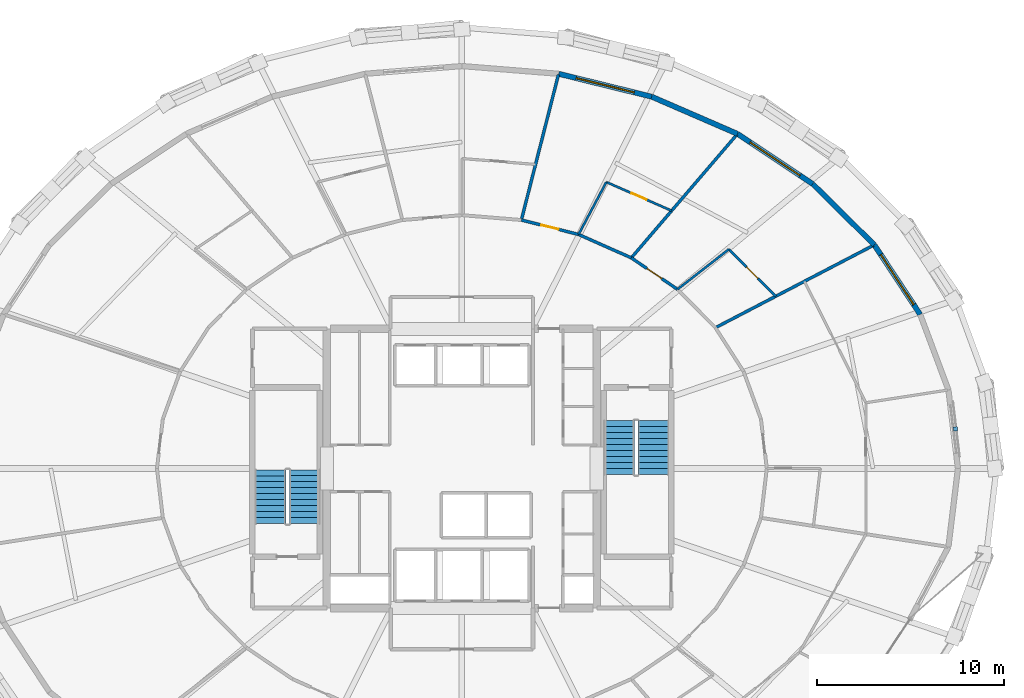
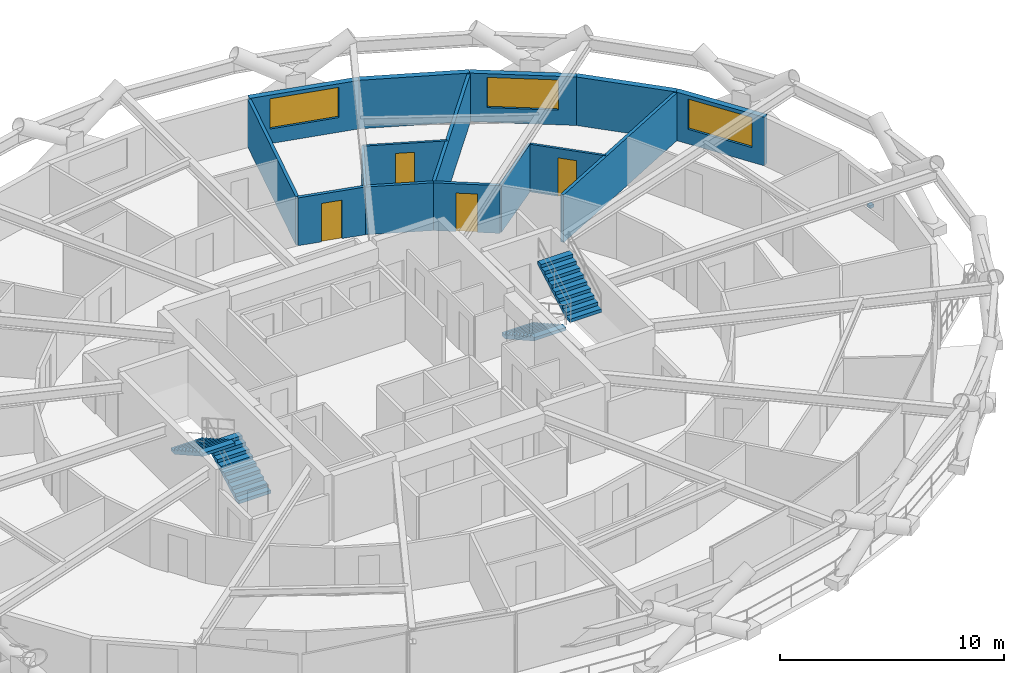
# One storey, part 17 of 19: 15 walls, 4 doors, 4 stair flights, 3 windows, 1 discrete accessory, 7 openings, 2 elements without a shape of their own.
"""IFC4 building model written with IfcOpenShell, lengths in metres."""

import ifcopenshell
import ifcopenshell.guid

model = None  # the IFC model being written
_history = None  # IfcOwnerHistory: only IFC2X3 demands one
_inside = {}  # id of a spatial element -> (the spatial element, [elements in it])
_under = {}  # id of a project, library or spatial element -> (it, [spatial elements below it])
_declared = {}  # id of a project -> (the project, [libraries it declares])
_typed = {}  # id of a type object -> (the type object, [elements of that type])
_made_of = {}  # id of a material, layer set ... -> (it, [elements and type objects made of it])


def new_model(schema):
    """Start an empty IFC model of exactly this schema.

    Asked for "IFC4X3", IfcOpenShell would pick the latest addendum, in which some entities
    have other attributes; the version numbers below select the first issue.
    IFC2X3 requires an IfcOwnerHistory on every rooted entity: one is made here for all.
    """
    global model, _history
    if schema == "IFC4X3":
        model = ifcopenshell.file(schema_version=(4, 3, 0, 0))
    else:
        model = ifcopenshell.file(schema=schema)
    _inside.clear()
    _under.clear()
    _declared.clear()
    _typed.clear()
    _made_of.clear()
    _history = None
    if model.schema == "IFC2X3":
        org = make("IfcOrganization", Name="unknown")
        user = make(
            "IfcPersonAndOrganization",
            ThePerson=make("IfcPerson", FamilyName="unknown"),
            TheOrganization=org,
        )
        app = make(
            "IfcApplication",
            ApplicationDeveloper=org,
            Version="unknown",
            ApplicationFullName="unknown",
            ApplicationIdentifier="unknown",
        )
        _history = make(
            "IfcOwnerHistory",
            OwningUser=user,
            OwningApplication=app,
            ChangeAction="ADDED",
            CreationDate=0,
        )
    return model


def make(cls, **values):
    """One entity of the class cls with the attributes given. An attribute that is None is left unset."""
    return model.create_entity(
        cls, **{name: value for name, value in values.items() if value is not None}
    )


def rooted(cls, **values):
    """An entity with a GlobalId (a new one), such as an element, a storey or a relation."""
    return make(cls, GlobalId=ifcopenshell.guid.new(), OwnerHistory=_history, **values)


def si_unit(unit_type, name, prefix=None):
    """IfcSIUnit, for example si_unit("LENGTHUNIT", "METRE", prefix="MILLI")."""
    return make("IfcSIUnit", UnitType=unit_type, Prefix=prefix, Name=name)


def assignment(units):
    """IfcUnitAssignment: the units of a project."""
    return None if units is None else make("IfcUnitAssignment", Units=units)


def point(xyz):
    """IfcCartesianPoint."""
    return None if xyz is None else make("IfcCartesianPoint", Coordinates=xyz)


def direction(xyz):
    """IfcDirection."""
    return None if xyz is None else make("IfcDirection", DirectionRatios=xyz)


def frame(location, z_axis=None, x_axis=None):
    """IfcAxis2Placement3D, a coordinate frame: its origin and axes. An axis left out is left unset."""
    return make(
        "IfcAxis2Placement3D",
        Location=point(location),
        Axis=direction(z_axis),
        RefDirection=direction(x_axis),
    )


def frame_2d(location, x_axis=None):
    """IfcAxis2Placement2D, a coordinate frame in the plane: its origin and x axis."""
    return make(
        "IfcAxis2Placement2D", Location=point(location), RefDirection=direction(x_axis)
    )


def origin():
    """The frame at (0, 0, 0) with its axes left unset."""
    return frame((0.0, 0.0, 0.0))


def origin_2d():
    """The frame at (0, 0) in the plane with its x axis left unset."""
    return frame_2d((0.0, 0.0))


def place(relative_to, where):
    """IfcLocalPlacement: puts the frame where relative to a parent placement (None: the world)."""
    return make(
        "IfcLocalPlacement", PlacementRelTo=relative_to, RelativePlacement=where
    )


def context(
    kind, dimensions, precision=None, world=None, true_north=None, identifier=None
):
    """IfcGeometricRepresentationContext, for example the 3D "Model" context."""
    return make(
        "IfcGeometricRepresentationContext",
        ContextIdentifier=identifier,
        ContextType=kind,
        CoordinateSpaceDimension=dimensions,
        Precision=precision,
        WorldCoordinateSystem=world,
        TrueNorth=true_north,
    )


def subcontext(parent, identifier, kind, view, scale=None):
    """IfcGeometricRepresentationSubContext, for example "Body" below "Model"."""
    return make(
        "IfcGeometricRepresentationSubContext",
        ContextIdentifier=identifier,
        ContextType=kind,
        ParentContext=parent,
        TargetScale=scale,
        TargetView=view,
    )


def project(units=None, contexts=None):
    """IfcProject with its units and contexts."""
    return rooted(
        "IfcProject",
        Name="project",
        RepresentationContexts=contexts,
        UnitsInContext=assignment(units),
    )


def spatial(cls, under=None, at=None, **own):
    """A site, building, storey or space (cls), placed at a placement, below another one or the project."""
    s = rooted(cls, ObjectPlacement=at, **own)
    if under is not None:
        _under.setdefault(under.id(), (under, []))[1].append(s)
    return s


def polyline(points):
    """IfcPolyline through the points."""
    return make("IfcPolyline", Points=[point(p) for p in points])


def profile(cls, at=None, kind="AREA", **sizes):
    """A parametric profile (cls). Its sizes go by their IFC names, for example OverallWidth=200.0."""
    return make(cls, ProfileType=kind, Position=at, **sizes)


def rectangle(**sizes):
    """IfcRectangleProfileDef."""
    return profile("IfcRectangleProfileDef", **sizes)


def outline(outer, holes=None, kind="AREA"):
    """IfcArbitraryClosedProfileDef: a profile drawn as a closed curve; with holes, ...WithVoids."""
    if holes is None:
        return make("IfcArbitraryClosedProfileDef", ProfileType=kind, OuterCurve=outer)
    return make(
        "IfcArbitraryProfileDefWithVoids",
        ProfileType=kind,
        OuterCurve=outer,
        InnerCurves=holes,
    )


def extrude(swept, where, along, depth):
    """IfcExtrudedAreaSolid: the profile swept, set in the frame where, extruded along a direction by depth."""
    return make(
        "IfcExtrudedAreaSolid",
        SweptArea=swept,
        Position=where,
        ExtrudedDirection=direction(along),
        Depth=depth,
    )


def shape(context_of_items, identifier, shape_type, items):
    """IfcShapeRepresentation: the items that make up one representation, for example the "Body"."""
    return make(
        "IfcShapeRepresentation",
        ContextOfItems=context_of_items,
        RepresentationIdentifier=identifier,
        RepresentationType=shape_type,
        Items=items,
    )


def material(Name=None, Category=None):
    """IfcMaterial."""
    return make("IfcMaterial", Name=Name, Category=Category)


def layer(
    of_material, thickness, ventilated=None, Name=None, Category=None, Priority=None
):
    """IfcMaterialLayer: one layer of a wall or slab, of a material (None: an air gap)."""
    return make(
        "IfcMaterialLayer",
        Material=of_material,
        LayerThickness=thickness,
        IsVentilated=ventilated,
        Name=Name,
        Category=Category,
        Priority=Priority,
    )


def layer_set(layers, Name=None):
    """IfcMaterialLayerSet."""
    return make("IfcMaterialLayerSet", MaterialLayers=layers, LayerSetName=Name)


def made_of(thing, what):
    """Note that an element or type object is made of a material, layer set ...; save() writes the relation."""
    if what is not None:
        _made_of.setdefault(what.id(), (what, []))[1].append(thing)
    return thing


def type_object(cls, material=None, **own):
    """A type object (cls), such as IfcWallType, which elements share."""
    return made_of(rooted(cls, **own), material)


def element(
    cls,
    number,
    at=None,
    inside=None,
    cuts=None,
    type_object=None,
    material=None,
    context=None,
    identifier="Body",
    shape_type=None,
    held_by="IfcProductDefinitionShape",
    body=None,
    shapes=None,
    **own,
):
    """One element of the class cls, such as IfcWall. Its Tag is "e" and its number.

    at: its placement. inside: the storey or other place that contains it. cuts: it is an
    opening in that element (IfcRelVoidsElement). A single representation is given by context,
    identifier, shape_type and body (its items); several are given by shapes. held_by: the class
    of the entity that holds the representations. save() writes the other relations.
    """
    e = rooted(cls, Tag="e%d" % number, ObjectPlacement=at, **own)
    if body is not None:
        shapes = [shape(context, identifier, shape_type, body)]
    if shapes is not None:
        e.Representation = make(held_by, Representations=shapes)
    if inside is not None:
        _inside.setdefault(inside.id(), (inside, []))[1].append(e)
    if cuts is not None:
        rooted(
            "IfcRelVoidsElement", RelatingBuildingElement=cuts, RelatedOpeningElement=e
        )
    if type_object is not None:
        _typed.setdefault(type_object.id(), (type_object, []))[1].append(e)
    return made_of(e, material)


def fill(opening, filler):
    """IfcRelFillsElement: the door or window that sits in an opening."""
    return rooted(
        "IfcRelFillsElement",
        RelatingOpeningElement=opening,
        RelatedBuildingElement=filler,
    )


def aggregate(whole, parts):
    """IfcRelAggregates: a whole, such as a stair, and the parts it consists of."""
    return rooted("IfcRelAggregates", RelatingObject=whole, RelatedObjects=parts)


def save(model, path):
    """Write the relations noted so far, then the file.

    IfcRelAggregates (storeys below a building ...), IfcRelContainedInSpatialStructure (elements
    in a storey), IfcRelDefinesByType, IfcRelAssociatesMaterial and IfcRelDeclares: one each for
    every whole, place, type object, material and project.
    """
    for whole, parts in _under.values():
        aggregate(whole, parts)
    for where, things in _inside.values():
        rooted(
            "IfcRelContainedInSpatialStructure",
            RelatedElements=things,
            RelatingStructure=where,
        )
    for kind, things in _typed.values():
        rooted("IfcRelDefinesByType", RelatedObjects=things, RelatingType=kind)
    for what, things in _made_of.values():
        rooted("IfcRelAssociatesMaterial", RelatedObjects=things, RelatingMaterial=what)
    for by, libraries in _declared.values():
        rooted("IfcRelDeclares", RelatingContext=by, RelatedDefinitions=libraries)
    model.write(path)


model = new_model("IFC4")

# Units and contexts
model_context = context("Model", 3, precision=1e-05, world=origin(), true_north=direction((0.0, 1.0)))
body_context = subcontext(model_context, "Body", "Model", "MODEL_VIEW")
ifc_project = project(units=[si_unit("LENGTHUNIT", "METRE"), si_unit("AREAUNIT", "SQUARE_METRE"), si_unit("VOLUMEUNIT", "CUBIC_METRE"), si_unit("PLANEANGLEUNIT", "RADIAN"), si_unit("MASSUNIT", "GRAM", prefix="KILO")], contexts=[model_context])

# Site, building, storey
site_placement = place(None, origin())
site = spatial("IfcSite", under=ifc_project, at=site_placement, CompositionType="ELEMENT")
building_placement = place(site_placement, origin())
building = spatial("IfcBuilding", under=site, at=building_placement, Name="Veldorina Hangang Commons", CompositionType="ELEMENT")
storey_placement = place(building_placement, frame((0.0, 0.0, 52.0)))
storey = spatial("IfcBuildingStorey", under=building, at=storey_placement, Name="L12", CompositionType="ELEMENT", Elevation=52.0)

# Wall, opening, window
ifc_material_1 = material(Name="Stone Roman Travertine", Category="masonry")
ifc_layer_1 = layer(ifc_material_1, 0.280029296875)
ifc_layer_set_1 = layer_set([ifc_layer_1], Name="Stone Roman Travertine")
wall_type_1 = type_object("IfcWallType", Name="EW-TRAV-280", PredefinedType="STANDARD", material=ifc_layer_set_1)
wall_1_placement = place(storey_placement, frame((56.4599609375, 32.21826171875, 0.0), z_axis=(0.0, 0.0, 1.0), x_axis=(-0.550282912527, 0.834978272879, 0.0)))
wall_1 = element("IfcWall", 1, at=wall_1_placement, inside=storey, type_object=wall_type_1, Name="L12 travertine facade wall 02", PredefinedType="STANDARD", context=body_context, shape_type="SweptSolid", body=[
    extrude(rectangle(XDim=4.4462890625, YDim=0.280029296875, at=frame_2d((2.22314453125, 0.0))), origin(), (0.0, 0.0, 1.0), 2.64990234375),
])
opening_1_placement = place(wall_1_placement, frame((0.623291015625, 0.0, 0.800048828125)))
opening_1 = element("IfcOpeningElement", 2, at=opening_1_placement, cuts=wall_1, Name="Opening W-01", PredefinedType="OPENING", context=body_context, shape_type="SweptSolid", body=[
    extrude(rectangle(XDim=3.199951171875, YDim=1.64990234375, at=frame_2d((1.60009765625, 0.824951171875))), frame((0.0, 0.14990234375, 0.0), z_axis=(0.0, -1.0, 0.0), x_axis=(1.0, 0.0, 0.0)), (0.0, 0.0, 1.0), 0.300048828125),
])
ifc_material_2 = material(Name="Glass Low-E Triple IGU", Category="glass")
window_type = type_object("IfcWindowType", Name="WIN-TWR-3200", PartitioningType="SINGLE_PANEL", PredefinedType="WINDOW", material=ifc_material_2)
window_1_placement = place(opening_1_placement, origin())
window_1 = element("IfcWindow", 3, at=window_1_placement, inside=storey, type_object=window_type, Name="L12 facade window 02", OverallHeight=1.64990234375, OverallWidth=3.199951171875, PartitioningType="SINGLE_PANEL", PredefinedType="WINDOW", context=body_context, shape_type="SweptSolid", body=[
    extrude(rectangle(XDim=3.199951171875, YDim=1.64990234375, at=frame_2d((1.60009765625, 0.824951171875))), frame((0.0, 0.030029296875, 0.0), z_axis=(0.0, -1.0, 0.0), x_axis=(1.0, 0.0, 0.0)), (0.0, 0.0, 1.0), 0.06005859375),
])
fill(opening_1, window_1)

# Wall
wall_2_placement = place(storey_placement, frame((54.01318359375, 35.930908203125, 0.0), z_axis=(0.0, 0.0, 1.0), x_axis=(-0.711208285642, 0.702981347146, 0.0)))
element("IfcWall", 4, at=wall_2_placement, inside=storey, type_object=wall_type_1, Name="L12 travertine facade wall 03", PredefinedType="STANDARD", context=body_context, shape_type="SweptSolid", body=[
    extrude(rectangle(XDim=4.62939453125, YDim=0.280029296875, at=frame_2d((2.314697265625, 0.0))), origin(), (0.0, 0.0, 1.0), 2.64990234375),
])

# Wall, opening, window
wall_3_placement = place(storey_placement, frame((50.720703125, 39.185302734375, 0.0), z_axis=(0.0, 0.0, 1.0), x_axis=(-0.832431966359, 0.554127261, 0.0)))
wall_3 = element("IfcWall", 5, at=wall_3_placement, inside=storey, type_object=wall_type_1, Name="L12 travertine facade wall 04", PredefinedType="STANDARD", context=body_context, shape_type="SweptSolid", body=[
    extrude(rectangle(XDim=4.819580078125, YDim=0.280029296875, at=frame_2d((2.40966796875, 0.0))), origin(), (0.0, 0.0, 1.0), 2.64990234375),
])
opening_2_placement = place(wall_3_placement, frame((0.809814453125, 0.0, 0.800048828125)))
opening_2 = element("IfcOpeningElement", 6, at=opening_2_placement, cuts=wall_3, Name="Opening W-01", PredefinedType="OPENING", context=body_context, shape_type="SweptSolid", body=[
    extrude(rectangle(XDim=3.199951171875, YDim=1.64990234375, at=frame_2d((1.60009765625, 0.824951171875))), frame((0.0, 0.14990234375, 0.0), z_axis=(0.0, -1.0, 0.0), x_axis=(1.0, 0.0, 0.0)), (0.0, 0.0, 1.0), 0.300048828125),
])
window_2_placement = place(opening_2_placement, origin())
window_2 = element("IfcWindow", 7, at=window_2_placement, inside=storey, type_object=window_type, Name="L12 facade window 04", OverallHeight=1.64990234375, OverallWidth=3.199951171875, PartitioningType="SINGLE_PANEL", PredefinedType="WINDOW", context=body_context, shape_type="SweptSolid", body=[
    extrude(rectangle(XDim=3.199951171875, YDim=1.64990234375, at=frame_2d((1.60009765625, 0.824951171875))), frame((0.0, 0.030029296875, 0.0), z_axis=(0.0, -1.0, 0.0), x_axis=(1.0, 0.0, 0.0)), (0.0, 0.0, 1.0), 0.06005859375),
])
fill(opening_2, window_2)

# Wall
wall_4_placement = place(storey_placement, frame((46.708740234375, 41.85595703125, 0.0), z_axis=(0.0, 0.0, 1.0), x_axis=(-0.917468716398, 0.397807936612, 0.0)))
element("IfcWall", 8, at=wall_4_placement, inside=storey, type_object=wall_type_1, Name="L12 travertine facade wall 05", PredefinedType="STANDARD", context=body_context, shape_type="SweptSolid", body=[
    extrude(rectangle(XDim=4.98876953125, YDim=0.280029296875, at=frame_2d((2.494384765625, 0.0))), origin(), (0.0, 0.0, 1.0), 2.64990234375),
])

# Wall, opening, window
wall_5_placement = place(storey_placement, frame((42.131591796875, 43.840576171875, 0.0), z_axis=(0.0, 0.0, 1.0), x_axis=(-0.971042653892, 0.238906183096, 0.0)))
wall_5 = element("IfcWall", 9, at=wall_5_placement, inside=storey, type_object=wall_type_1, Name="L12 travertine facade wall 06", PredefinedType="STANDARD", context=body_context, shape_type="SweptSolid", body=[
    extrude(rectangle(XDim=5.11474609375, YDim=0.280029296875, at=frame_2d((2.557373046875, 0.0))), origin(), (0.0, 0.0, 1.0), 2.64990234375),
])
opening_3_placement = place(wall_5_placement, frame((0.957275390625, 0.0, 0.800048828125)))
opening_3 = element("IfcOpeningElement", 10, at=opening_3_placement, cuts=wall_5, Name="Opening W-01", PredefinedType="OPENING", context=body_context, shape_type="SweptSolid", body=[
    extrude(rectangle(XDim=3.199951171875, YDim=1.64990234375, at=frame_2d((1.60009765625, 0.824951171875))), frame((0.0, 0.14990234375, 0.0), z_axis=(0.0, -1.0, 0.0), x_axis=(1.0, 0.0, 0.0)), (0.0, 0.0, 1.0), 0.300048828125),
])
window_3_placement = place(opening_3_placement, origin())
window_3 = element("IfcWindow", 11, at=window_3_placement, inside=storey, type_object=window_type, Name="L12 facade window 06", OverallHeight=1.64990234375, OverallWidth=3.199951171875, PartitioningType="SINGLE_PANEL", PredefinedType="WINDOW", context=body_context, shape_type="SweptSolid", body=[
    extrude(rectangle(XDim=3.199951171875, YDim=1.64990234375, at=frame_2d((1.60009765625, 0.824951171875))), frame((0.0, 0.030029296875, 0.0), z_axis=(0.0, -1.0, 0.0), x_axis=(1.0, 0.0, 0.0)), (0.0, 0.0, 1.0), 0.06005859375),
])
fill(opening_3, window_3)

# Wall, opening, door
ifc_material_3 = material(Name="Gypsum Fire-Rated Twin Stud Wall", Category="gypsum")
ifc_layer_2 = layer(ifc_material_3, 0.159912109375)
ifc_layer_set_2 = layer_set([ifc_layer_2], Name="Gypsum Fire-Rated Twin Stud Wall")
wall_type_2 = type_object("IfcWallType", Name="WL-FIRE-160", PredefinedType="SOLIDWALL", material=ifc_layer_set_2)
wall_6_placement = place(storey_placement, frame((43.507568359375, 33.55859375, 0.0), z_axis=(0.0, 0.0, 1.0), x_axis=(-0.826293096206, 0.56324037423, 0.0)))
wall_6 = element("IfcWall", 12, at=wall_6_placement, inside=storey, type_object=wall_type_2, Name="L12 Corridor outer wall 04 054", PredefinedType="SOLIDWALL", context=body_context, shape_type="SweptSolid", body=[
    extrude(rectangle(XDim=2.98486328125, YDim=0.159912109375, at=frame_2d((1.492431640625, 0.0))), origin(), (0.0, 0.0, 1.0), 2.610107421875),
])
opening_4_placement = place(wall_6_placement, frame((1.017333984375, 0.0, 0.0)))
opening_4 = element("IfcOpeningElement", 13, at=opening_4_placement, cuts=wall_6, Name="Opening D-03", PredefinedType="OPENING", context=body_context, shape_type="SweptSolid", body=[
    extrude(rectangle(XDim=0.949951171875, YDim=2.10009765625, at=frame_2d((0.47509765625, 1.050048828125))), frame((0.0, 0.08984375, 0.0), z_axis=(0.0, -1.0, 0.0), x_axis=(1.0, 0.0, 0.0)), (0.0, 0.0, 1.0), 0.179931640625),
])
ifc_material_4 = material(Name="Timber Fire-Rated Entrance Core", Category="wood")
door_type_1 = type_object("IfcDoorType", Name="DR-UNIT-950", OperationType="SINGLE_SWING_RIGHT", PredefinedType="DOOR", material=ifc_material_4)
door_1_placement = place(opening_4_placement, origin())
door_1 = element("IfcDoor", 14, at=door_1_placement, inside=storey, type_object=door_type_1, Name="L12 Studio 4 entrance door 033", OperationType="SINGLE_SWING_LEFT", OverallHeight=2.10009765625, OverallWidth=0.949951171875, PredefinedType="DOOR", context=body_context, shape_type="SweptSolid", body=[
    extrude(rectangle(XDim=0.949951171875, YDim=2.10009765625, at=frame_2d((0.47509765625, 1.050048828125))), frame((0.0, 0.02490234375, 0.0), z_axis=(0.0, -1.0, 0.0), x_axis=(1.0, 0.0, 0.0)), (0.0, 0.0, 1.0), 0.050048828125),
])
fill(opening_4, door_1)

# Wall
wall_7_placement = place(storey_placement, frame((41.041259765625, 35.23974609375, 0.0), z_axis=(0.0, 0.0, 1.0), x_axis=(-0.913952123493, 0.405822024984, 0.0)))
element("IfcWall", 15, at=wall_7_placement, inside=storey, type_object=wall_type_2, Name="L12 Corridor outer wall 05 055", PredefinedType="SOLIDWALL", context=body_context, shape_type="SweptSolid", body=[
    extrude(rectangle(XDim=3.078369140625, YDim=0.159912109375, at=frame_2d((1.5390625, 0.0))), origin(), (0.0, 0.0, 1.0), 2.610107421875),
])

# Wall, opening, door
wall_8_placement = place(storey_placement, frame((38.227783203125, 36.489013671875, 0.0), z_axis=(0.0, 0.0, 1.0), x_axis=(-0.969689238064, 0.244341526521, 0.0)))
wall_8 = element("IfcWall", 16, at=wall_8_placement, inside=storey, type_object=wall_type_2, Name="L12 Corridor outer wall 06 056", PredefinedType="SOLIDWALL", context=body_context, shape_type="SweptSolid", body=[
    extrude(rectangle(XDim=3.1484375, YDim=0.159912109375, at=frame_2d((1.57421875, 0.0))), origin(), (0.0, 0.0, 1.0), 2.610107421875),
])
opening_5_placement = place(wall_8_placement, frame((1.09912109375, 0.0, 0.0)))
opening_5 = element("IfcOpeningElement", 17, at=opening_5_placement, cuts=wall_8, Name="Opening D-03", PredefinedType="OPENING", context=body_context, shape_type="SweptSolid", body=[
    extrude(rectangle(XDim=0.949951171875, YDim=2.10009765625, at=frame_2d((0.47509765625, 1.050048828125))), frame((0.0, 0.08984375, 0.0), z_axis=(0.0, -1.0, 0.0), x_axis=(1.0, 0.0, 0.0)), (0.0, 0.0, 1.0), 0.179931640625),
])
door_2_placement = place(opening_5_placement, origin())
door_2 = element("IfcDoor", 18, at=door_2_placement, inside=storey, type_object=door_type_1, Name="L12 Studio 5 entrance door 035", OperationType="SINGLE_SWING_LEFT", OverallHeight=2.10009765625, OverallWidth=0.949951171875, PredefinedType="DOOR", context=body_context, shape_type="SweptSolid", body=[
    extrude(rectangle(XDim=0.949951171875, YDim=2.10009765625, at=frame_2d((0.47509765625, 1.050048828125))), frame((0.0, 0.02490234375, 0.0), z_axis=(0.0, -1.0, 0.0), x_axis=(1.0, 0.0, 0.0)), (0.0, 0.0, 1.0), 0.050048828125),
])
fill(opening_5, door_2)

# Walls
wall_9_placement = place(storey_placement, frame((45.53125, 31.51025390625, 0.0), z_axis=(0.0, 0.0, 1.0), x_axis=(0.886782865133, 0.462186272088, 0.0)))
element("IfcWall", 19, at=wall_9_placement, inside=storey, type_object=wall_type_2, Name="L12 Unit party wall 03 099", PredefinedType="SOLIDWALL", context=body_context, shape_type="SweptSolid", body=[
    extrude(rectangle(XDim=9.514892578125, YDim=0.159912109375, at=frame_2d((4.75732421875, 0.0))), origin(), (0.0, 0.0, 1.0), 2.610107421875),
])
wall_10_placement = place(storey_placement, frame((41.041259765625, 35.23974609375, 0.0), z_axis=(0.0, 0.0, 1.0), x_axis=(0.650552260828, 0.75946149075, 0.0)))
element("IfcWall", 20, at=wall_10_placement, inside=storey, type_object=wall_type_2, Name="L12 Unit party wall 05 102", PredefinedType="SOLIDWALL", context=body_context, shape_type="SweptSolid", body=[
    extrude(rectangle(XDim=8.661865234375, YDim=0.159912109375, at=frame_2d((4.3310546875, 0.0))), origin(), (0.0, 0.0, 1.0), 2.610107421875),
])
wall_11_placement = place(storey_placement, frame((35.1748046875, 37.25830078125, 0.0), z_axis=(0.0, 0.0, 1.0), x_axis=(0.247097489617, 0.968990624632, 0.0)))
element("IfcWall", 21, at=wall_11_placement, inside=storey, type_object=wall_type_2, Name="L12 Unit party wall 07 105", PredefinedType="SOLIDWALL", context=body_context, shape_type="SweptSolid", body=[
    extrude(rectangle(XDim=8.004150390625, YDim=0.159912109375, at=frame_2d((4.001953125, 0.0))), origin(), (0.0, 0.0, 1.0), 2.610107421875),
])

# Wall, opening, door
ifc_material_5 = material(Name="Gypsum Acoustic Stud Partition", Category="gypsum")
ifc_layer_3 = layer(ifc_material_5, 0.1201171875)
ifc_layer_set_3 = layer_set([ifc_layer_3], Name="Gypsum Acoustic Stud Partition")
wall_type_3 = type_object("IfcWallType", Name="WL-PART-120", PredefinedType="PARTITIONING", material=ifc_layer_set_3)
wall_12_placement = place(storey_placement, frame((48.75439453125, 33.190185546875, 0.0), z_axis=(0.0, 0.0, 1.0), x_axis=(-0.707003450842, 0.707210096434, 0.0)))
wall_12 = element("IfcWall", 22, at=wall_12_placement, inside=storey, type_object=wall_type_3, Name="L12 Studio 4 bath front wall 100", PredefinedType="PARTITIONING", context=body_context, shape_type="SweptSolid", body=[
    extrude(rectangle(XDim=3.54443359375, YDim=0.1201171875, at=frame_2d((1.772216796875, 0.0))), origin(), (0.0, 0.0, 1.0), 2.610107421875),
])
opening_6_placement = place(wall_12_placement, frame((1.34228515625, 0.0, 0.0)))
opening_6 = element("IfcOpeningElement", 23, at=opening_6_placement, cuts=wall_12, Name="Opening D-01", PredefinedType="OPENING", context=body_context, shape_type="SweptSolid", body=[
    extrude(rectangle(XDim=0.860107421875, YDim=2.10009765625, at=frame_2d((0.43017578125, 1.050048828125))), frame((0.0, 0.070068359375, 0.0), z_axis=(0.0, -1.0, 0.0), x_axis=(1.0, 0.0, 0.0)), (0.0, 0.0, 1.0), 0.14013671875),
])
ifc_material_6 = material(Name="Timber Moisture-Resistant Core", Category="wood")
door_type_2 = type_object("IfcDoorType", Name="DR-WET-860", OperationType="SINGLE_SWING_LEFT", PredefinedType="DOOR", material=ifc_material_6)
door_3_placement = place(opening_6_placement, origin())
door_3 = element("IfcDoor", 24, at=door_3_placement, inside=storey, type_object=door_type_2, Name="L12 Studio 4 bathroom door 032", OperationType="SINGLE_SWING_RIGHT", OverallHeight=2.10009765625, OverallWidth=0.860107421875, PredefinedType="DOOR", context=body_context, shape_type="SweptSolid", body=[
    extrude(rectangle(XDim=0.860107421875, YDim=2.10009765625, at=frame_2d((0.43017578125, 1.050048828125))), frame((0.0, 0.02490234375, 0.0), z_axis=(0.0, -1.0, 0.0), x_axis=(1.0, 0.0, 0.0)), (0.0, 0.0, 1.0), 0.050048828125),
])
fill(opening_6, door_3)

# Wall
wall_13_placement = place(storey_placement, frame((43.507568359375, 33.55859375, 0.0), z_axis=(0.0, 0.0, 1.0), x_axis=(0.788470290208, 0.615072842401, 0.0)))
element("IfcWall", 25, at=wall_13_placement, inside=storey, type_object=wall_type_3, Name="L12 Studio 4 bath side wall 101", PredefinedType="PARTITIONING", context=body_context, shape_type="SweptSolid", body=[
    extrude(rectangle(XDim=3.476318359375, YDim=0.1201171875, at=frame_2d((1.73828125, 0.0))), origin(), (0.0, 0.0, 1.0), 2.610107421875),
])

# Wall, opening, door
wall_14_placement = place(storey_placement, frame((43.19482421875, 37.75390625, 0.0), z_axis=(0.0, 0.0, 1.0), x_axis=(-0.915701633534, 0.401858828873, 0.0)))
wall_14 = element("IfcWall", 26, at=wall_14_placement, inside=storey, type_object=wall_type_3, Name="L12 Studio 5 bath front wall 103", PredefinedType="PARTITIONING", context=body_context, shape_type="SweptSolid", body=[
    extrude(rectangle(XDim=3.804443359375, YDim=0.1201171875, at=frame_2d((1.90234375, 0.0))), origin(), (0.0, 0.0, 1.0), 2.610107421875),
])
opening_7_placement = place(wall_14_placement, frame((1.47216796875, 0.0, 0.0)))
opening_7 = element("IfcOpeningElement", 27, at=opening_7_placement, cuts=wall_14, Name="Opening D-01", PredefinedType="OPENING", context=body_context, shape_type="SweptSolid", body=[
    extrude(rectangle(XDim=0.860107421875, YDim=2.10009765625, at=frame_2d((0.43017578125, 1.050048828125))), frame((0.0, 0.070068359375, 0.0), z_axis=(0.0, -1.0, 0.0), x_axis=(1.0, 0.0, 0.0)), (0.0, 0.0, 1.0), 0.14013671875),
])
door_4_placement = place(opening_7_placement, origin())
door_4 = element("IfcDoor", 28, at=door_4_placement, inside=storey, type_object=door_type_2, Name="L12 Studio 5 bathroom door 034", OperationType="SINGLE_SWING_RIGHT", OverallHeight=2.10009765625, OverallWidth=0.860107421875, PredefinedType="DOOR", context=body_context, shape_type="SweptSolid", body=[
    extrude(rectangle(XDim=0.860107421875, YDim=2.10009765625, at=frame_2d((0.43017578125, 1.050048828125))), frame((0.0, 0.02490234375, 0.0), z_axis=(0.0, -1.0, 0.0), x_axis=(1.0, 0.0, 0.0)), (0.0, 0.0, 1.0), 0.050048828125),
])
fill(opening_7, door_4)

# Wall
wall_15_placement = place(storey_placement, frame((38.227783203125, 36.489013671875, 0.0), z_axis=(0.0, 0.0, 1.0), x_axis=(0.468968986747, 0.883214633863, 0.0)))
element("IfcWall", 29, at=wall_15_placement, inside=storey, type_object=wall_type_3, Name="L12 Studio 5 bath side wall 104", PredefinedType="PARTITIONING", context=body_context, shape_type="SweptSolid", body=[
    extrude(rectangle(XDim=3.1630859375, YDim=0.1201171875, at=frame_2d((1.58154296875, 0.0))), origin(), (0.0, 0.0, 1.0), 2.610107421875),
])

# Stair, stair flights
ifc_material_7 = material(Name="Concrete C40/50", Category="concrete")
stair_type = type_object("IfcStairType", Name="STR-DOG-1650-20R", PredefinedType="HALF_TURN_STAIR", material=ifc_material_7)
stair_1_placement = place(storey_placement, origin())
stair_1 = element("IfcStair", 30, at=stair_1_placement, inside=storey, type_object=stair_type, Name="L12 Exit stair ST-1", PredefinedType="HALF_TURN_STAIR")
stair_flight_type = type_object("IfcStairFlightType", Name="SFL-STR-1650-20R", PredefinedType="STRAIGHT", material=ifc_material_7)
stair_flight_1_placement = place(storey_placement, frame((23.625, 21.050048828125, 0.0), z_axis=(0.0, 0.0, 1.0), x_axis=(0.0, 1.0, 0.0)))
stair_flight_1 = element("IfcStairFlight", 31, at=stair_flight_1_placement, type_object=stair_flight_type, Name="ST-1 flight 1", NumberOfRisers=10, NumberOfTreads=9, PredefinedType="STRAIGHT", RiserHeight=0.18, TreadLength=0.32, context=body_context, shape_type="SweptSolid", body=[
    extrude(outline(polyline([(0.0, 0.0), (0.0, 0.179931640625), (0.320068359375, 0.179931640625), (0.320068359375, 0.360107421875), (0.639892578125, 0.360107421875), (0.639892578125, 0.5400390625), (0.9599609375, 0.5400390625), (0.9599609375, 0.719970703125), (1.280029296875, 0.719970703125), (1.280029296875, 0.89990234375), (1.60009765625, 0.89990234375), (1.60009765625, 1.080078125), (1.919921875, 1.080078125), (1.919921875, 1.260009765625), (2.239990234375, 1.260009765625), (2.239990234375, 1.43994140625), (2.56005859375, 1.43994140625), (2.56005859375, 1.6201171875), (2.8798828125, 1.6201171875), (2.8798828125, 1.800048828125), (2.8798828125, 1.447998046875), (0.3056640625, 0.0), (0.0, 0.0)])), frame((0.0, 0.824951171875, 0.0), z_axis=(0.0, -1.0, 0.0), x_axis=(1.0, 0.0, 0.0)), (0.0, 0.0, 1.0), 1.64990234375),
])
stair_flight_2_placement = place(storey_placement, frame((21.77490234375, 23.929931640625, 1.800048828125), z_axis=(0.0, 0.0, 1.0), x_axis=(0.0, -1.0, 0.0)))
stair_flight_2 = element("IfcStairFlight", 32, at=stair_flight_2_placement, type_object=stair_flight_type, Name="ST-1 flight 2", NumberOfRisers=10, NumberOfTreads=9, PredefinedType="STRAIGHT", RiserHeight=0.18, TreadLength=0.32, context=body_context, shape_type="SweptSolid", body=[
    extrude(outline(polyline([(0.0, 0.0), (0.0, 0.179931640625), (0.320068359375, 0.179931640625), (0.320068359375, 0.360107421875), (0.639892578125, 0.360107421875), (0.639892578125, 0.5400390625), (0.9599609375, 0.5400390625), (0.9599609375, 0.719970703125), (1.280029296875, 0.719970703125), (1.280029296875, 0.89990234375), (1.60009765625, 0.89990234375), (1.60009765625, 1.080078125), (1.919921875, 1.080078125), (1.919921875, 1.260009765625), (2.239990234375, 1.260009765625), (2.239990234375, 1.43994140625), (2.56005859375, 1.43994140625), (2.56005859375, 1.6201171875), (2.8798828125, 1.6201171875), (2.8798828125, 1.800048828125), (2.8798828125, 1.447998046875), (0.3056640625, 0.0), (0.0, 0.0)])), frame((0.0, 0.824951171875, 0.0), z_axis=(0.0, -1.0, 0.0), x_axis=(1.0, 0.0, 0.0)), (0.0, 0.0, 1.0), 1.64990234375),
])
aggregate(stair_1, [stair_flight_1, stair_flight_2])

stair_2_placement = place(storey_placement, origin())
stair_2 = element("IfcStair", 33, at=stair_2_placement, inside=storey, type_object=stair_type, Name="L12 Exit stair ST-2", PredefinedType="HALF_TURN_STAIR")
stair_flight_3_placement = place(storey_placement, frame((40.375, 26.550048828125, 0.0), z_axis=(0.0, 0.0, 1.0), x_axis=(0.0, -1.0, 0.0)))
stair_flight_3 = element("IfcStairFlight", 34, at=stair_flight_3_placement, type_object=stair_flight_type, Name="ST-2 flight 1", NumberOfRisers=10, NumberOfTreads=9, PredefinedType="STRAIGHT", RiserHeight=0.18, TreadLength=0.32, context=body_context, shape_type="SweptSolid", body=[
    extrude(outline(polyline([(0.0, 0.0), (0.0, 0.179931640625), (0.320068359375, 0.179931640625), (0.320068359375, 0.360107421875), (0.639892578125, 0.360107421875), (0.639892578125, 0.5400390625), (0.9599609375, 0.5400390625), (0.9599609375, 0.719970703125), (1.280029296875, 0.719970703125), (1.280029296875, 0.89990234375), (1.60009765625, 0.89990234375), (1.60009765625, 1.080078125), (1.919921875, 1.080078125), (1.919921875, 1.260009765625), (2.239990234375, 1.260009765625), (2.239990234375, 1.43994140625), (2.56005859375, 1.43994140625), (2.56005859375, 1.6201171875), (2.8798828125, 1.6201171875), (2.8798828125, 1.800048828125), (2.8798828125, 1.447998046875), (0.3056640625, 0.0), (0.0, 0.0)])), frame((0.0, 0.824951171875, 0.0), z_axis=(0.0, -1.0, 0.0), x_axis=(1.0, 0.0, 0.0)), (0.0, 0.0, 1.0), 1.64990234375),
])
stair_flight_4_placement = place(storey_placement, frame((42.22509765625, 23.669921875, 1.800048828125), z_axis=(0.0, 0.0, 1.0), x_axis=(0.0, 1.0, 0.0)))
stair_flight_4 = element("IfcStairFlight", 35, at=stair_flight_4_placement, type_object=stair_flight_type, Name="ST-2 flight 2", NumberOfRisers=10, NumberOfTreads=9, PredefinedType="STRAIGHT", RiserHeight=0.18, TreadLength=0.32, context=body_context, shape_type="SweptSolid", body=[
    extrude(outline(polyline([(0.0, 0.0), (0.0, 0.179931640625), (0.320068359375, 0.179931640625), (0.320068359375, 0.360107421875), (0.639892578125, 0.360107421875), (0.639892578125, 0.5400390625), (0.9599609375, 0.5400390625), (0.9599609375, 0.719970703125), (1.280029296875, 0.719970703125), (1.280029296875, 0.89990234375), (1.60009765625, 0.89990234375), (1.60009765625, 1.080078125), (1.919921875, 1.080078125), (1.919921875, 1.260009765625), (2.239990234375, 1.260009765625), (2.239990234375, 1.43994140625), (2.56005859375, 1.43994140625), (2.56005859375, 1.6201171875), (2.8798828125, 1.6201171875), (2.8798828125, 1.800048828125), (2.8798828125, 1.447998046875), (0.3056640625, 0.0), (0.0, 0.0)])), frame((0.0, 0.824951171875, 0.0), z_axis=(0.0, -1.0, 0.0), x_axis=(1.0, 0.0, 0.0)), (0.0, 0.0, 1.0), 1.64990234375),
])
aggregate(stair_2, [stair_flight_3, stair_flight_4])

# Discrete accessory
ifc_material_8 = material(Name="Stainless Steel Brushed 316", Category="steel")
discrete_accessory_type = type_object("IfcDiscreteAccessoryType", Name="BRK-SCR-SS", PredefinedType="BRACKET", material=ifc_material_8)
discrete_accessory_placement = place(storey_placement, frame((58.340087890625, 26.109375, 0.72021484375), z_axis=(0.0, 0.0, 1.0), x_axis=(-0.120535347483, 0.992709035925, 0.0)))
element("IfcDiscreteAccessory", 36, at=discrete_accessory_placement, inside=storey, type_object=discrete_accessory_type, Name="L12 solar screen support bracket 00", PredefinedType="BRACKET", context=body_context, shape_type="SweptSolid", body=[
    extrude(rectangle(XDim=0.219970703125, YDim=0.219970703125, at=origin_2d()), origin(), (0.0, 0.0, 1.0), 0.159912109375),
])

save(model, "model.ifc")
